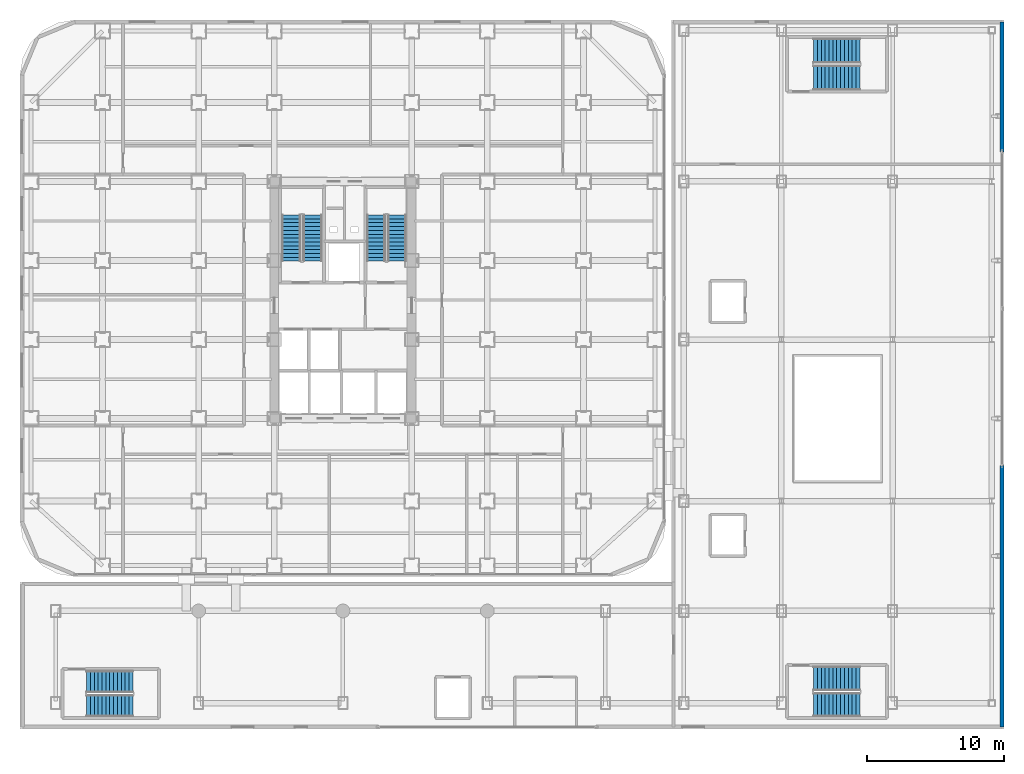
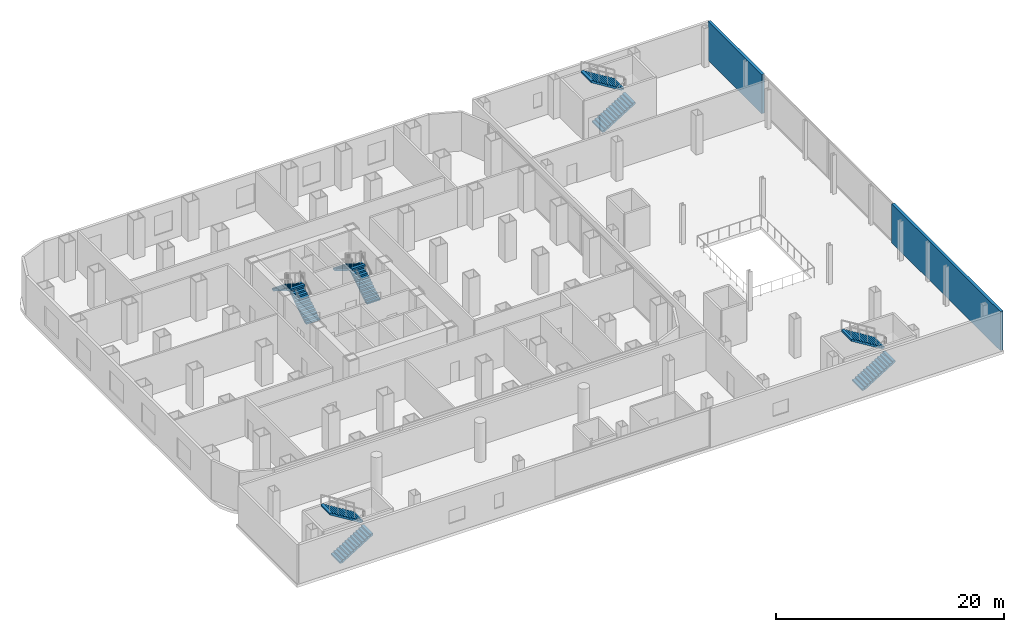
# One storey, part 22 of 26: 10 stair flights, 2 walls, 5 elements without a shape of their own.
"""IFC4 building model written with IfcOpenShell, lengths in metres."""

import ifcopenshell
import ifcopenshell.guid

model = None  # the IFC model being written
_history = None  # IfcOwnerHistory: only IFC2X3 demands one
_inside = {}  # id of a spatial element -> (the spatial element, [elements in it])
_under = {}  # id of a project, library or spatial element -> (it, [spatial elements below it])
_declared = {}  # id of a project -> (the project, [libraries it declares])
_typed = {}  # id of a type object -> (the type object, [elements of that type])
_made_of = {}  # id of a material, layer set ... -> (it, [elements and type objects made of it])


def new_model(schema):
    """Start an empty IFC model of exactly this schema.

    Asked for "IFC4X3", IfcOpenShell would pick the latest addendum, in which some entities
    have other attributes; the version numbers below select the first issue.
    IFC2X3 requires an IfcOwnerHistory on every rooted entity: one is made here for all.
    """
    global model, _history
    if schema == "IFC4X3":
        model = ifcopenshell.file(schema_version=(4, 3, 0, 0))
    else:
        model = ifcopenshell.file(schema=schema)
    _inside.clear()
    _under.clear()
    _declared.clear()
    _typed.clear()
    _made_of.clear()
    _history = None
    if model.schema == "IFC2X3":
        org = make("IfcOrganization", Name="unknown")
        user = make(
            "IfcPersonAndOrganization",
            ThePerson=make("IfcPerson", FamilyName="unknown"),
            TheOrganization=org,
        )
        app = make(
            "IfcApplication",
            ApplicationDeveloper=org,
            Version="unknown",
            ApplicationFullName="unknown",
            ApplicationIdentifier="unknown",
        )
        _history = make(
            "IfcOwnerHistory",
            OwningUser=user,
            OwningApplication=app,
            ChangeAction="ADDED",
            CreationDate=0,
        )
    return model


def make(cls, **values):
    """One entity of the class cls with the attributes given. An attribute that is None is left unset."""
    return model.create_entity(
        cls, **{name: value for name, value in values.items() if value is not None}
    )


def rooted(cls, **values):
    """An entity with a GlobalId (a new one), such as an element, a storey or a relation."""
    return make(cls, GlobalId=ifcopenshell.guid.new(), OwnerHistory=_history, **values)


def si_unit(unit_type, name, prefix=None):
    """IfcSIUnit, for example si_unit("LENGTHUNIT", "METRE", prefix="MILLI")."""
    return make("IfcSIUnit", UnitType=unit_type, Prefix=prefix, Name=name)


def assignment(units):
    """IfcUnitAssignment: the units of a project."""
    return None if units is None else make("IfcUnitAssignment", Units=units)


def point(xyz):
    """IfcCartesianPoint."""
    return None if xyz is None else make("IfcCartesianPoint", Coordinates=xyz)


def direction(xyz):
    """IfcDirection."""
    return None if xyz is None else make("IfcDirection", DirectionRatios=xyz)


def frame(location, z_axis=None, x_axis=None):
    """IfcAxis2Placement3D, a coordinate frame: its origin and axes. An axis left out is left unset."""
    return make(
        "IfcAxis2Placement3D",
        Location=point(location),
        Axis=direction(z_axis),
        RefDirection=direction(x_axis),
    )


def frame_2d(location, x_axis=None):
    """IfcAxis2Placement2D, a coordinate frame in the plane: its origin and x axis."""
    return make(
        "IfcAxis2Placement2D", Location=point(location), RefDirection=direction(x_axis)
    )


def origin():
    """The frame at (0, 0, 0) with its axes left unset."""
    return frame((0.0, 0.0, 0.0))


def place(relative_to, where):
    """IfcLocalPlacement: puts the frame where relative to a parent placement (None: the world)."""
    return make(
        "IfcLocalPlacement", PlacementRelTo=relative_to, RelativePlacement=where
    )


def context(
    kind, dimensions, precision=None, world=None, true_north=None, identifier=None
):
    """IfcGeometricRepresentationContext, for example the 3D "Model" context."""
    return make(
        "IfcGeometricRepresentationContext",
        ContextIdentifier=identifier,
        ContextType=kind,
        CoordinateSpaceDimension=dimensions,
        Precision=precision,
        WorldCoordinateSystem=world,
        TrueNorth=true_north,
    )


def subcontext(parent, identifier, kind, view, scale=None):
    """IfcGeometricRepresentationSubContext, for example "Body" below "Model"."""
    return make(
        "IfcGeometricRepresentationSubContext",
        ContextIdentifier=identifier,
        ContextType=kind,
        ParentContext=parent,
        TargetScale=scale,
        TargetView=view,
    )


def project(units=None, contexts=None):
    """IfcProject with its units and contexts."""
    return rooted(
        "IfcProject",
        Name="project",
        RepresentationContexts=contexts,
        UnitsInContext=assignment(units),
    )


def spatial(cls, under=None, at=None, **own):
    """A site, building, storey or space (cls), placed at a placement, below another one or the project."""
    s = rooted(cls, ObjectPlacement=at, **own)
    if under is not None:
        _under.setdefault(under.id(), (under, []))[1].append(s)
    return s


def polyline(points):
    """IfcPolyline through the points."""
    return make("IfcPolyline", Points=[point(p) for p in points])


def profile(cls, at=None, kind="AREA", **sizes):
    """A parametric profile (cls). Its sizes go by their IFC names, for example OverallWidth=200.0."""
    return make(cls, ProfileType=kind, Position=at, **sizes)


def rectangle(**sizes):
    """IfcRectangleProfileDef."""
    return profile("IfcRectangleProfileDef", **sizes)


def outline(outer, holes=None, kind="AREA"):
    """IfcArbitraryClosedProfileDef: a profile drawn as a closed curve; with holes, ...WithVoids."""
    if holes is None:
        return make("IfcArbitraryClosedProfileDef", ProfileType=kind, OuterCurve=outer)
    return make(
        "IfcArbitraryProfileDefWithVoids",
        ProfileType=kind,
        OuterCurve=outer,
        InnerCurves=holes,
    )


def extrude(swept, where, along, depth):
    """IfcExtrudedAreaSolid: the profile swept, set in the frame where, extruded along a direction by depth."""
    return make(
        "IfcExtrudedAreaSolid",
        SweptArea=swept,
        Position=where,
        ExtrudedDirection=direction(along),
        Depth=depth,
    )


def shape(context_of_items, identifier, shape_type, items):
    """IfcShapeRepresentation: the items that make up one representation, for example the "Body"."""
    return make(
        "IfcShapeRepresentation",
        ContextOfItems=context_of_items,
        RepresentationIdentifier=identifier,
        RepresentationType=shape_type,
        Items=items,
    )


def material(Name=None, Category=None):
    """IfcMaterial."""
    return make("IfcMaterial", Name=Name, Category=Category)


def layer(
    of_material, thickness, ventilated=None, Name=None, Category=None, Priority=None
):
    """IfcMaterialLayer: one layer of a wall or slab, of a material (None: an air gap)."""
    return make(
        "IfcMaterialLayer",
        Material=of_material,
        LayerThickness=thickness,
        IsVentilated=ventilated,
        Name=Name,
        Category=Category,
        Priority=Priority,
    )


def layer_set(layers, Name=None):
    """IfcMaterialLayerSet."""
    return make("IfcMaterialLayerSet", MaterialLayers=layers, LayerSetName=Name)


def made_of(thing, what):
    """Note that an element or type object is made of a material, layer set ...; save() writes the relation."""
    if what is not None:
        _made_of.setdefault(what.id(), (what, []))[1].append(thing)
    return thing


def type_object(cls, material=None, **own):
    """A type object (cls), such as IfcWallType, which elements share."""
    return made_of(rooted(cls, **own), material)


def element(
    cls,
    number,
    at=None,
    inside=None,
    cuts=None,
    type_object=None,
    material=None,
    context=None,
    identifier="Body",
    shape_type=None,
    held_by="IfcProductDefinitionShape",
    body=None,
    shapes=None,
    **own,
):
    """One element of the class cls, such as IfcWall. Its Tag is "e" and its number.

    at: its placement. inside: the storey or other place that contains it. cuts: it is an
    opening in that element (IfcRelVoidsElement). A single representation is given by context,
    identifier, shape_type and body (its items); several are given by shapes. held_by: the class
    of the entity that holds the representations. save() writes the other relations.
    """
    e = rooted(cls, Tag="e%d" % number, ObjectPlacement=at, **own)
    if body is not None:
        shapes = [shape(context, identifier, shape_type, body)]
    if shapes is not None:
        e.Representation = make(held_by, Representations=shapes)
    if inside is not None:
        _inside.setdefault(inside.id(), (inside, []))[1].append(e)
    if cuts is not None:
        rooted(
            "IfcRelVoidsElement", RelatingBuildingElement=cuts, RelatedOpeningElement=e
        )
    if type_object is not None:
        _typed.setdefault(type_object.id(), (type_object, []))[1].append(e)
    return made_of(e, material)


def aggregate(whole, parts):
    """IfcRelAggregates: a whole, such as a stair, and the parts it consists of."""
    return rooted("IfcRelAggregates", RelatingObject=whole, RelatedObjects=parts)


def save(model, path):
    """Write the relations noted so far, then the file.

    IfcRelAggregates (storeys below a building ...), IfcRelContainedInSpatialStructure (elements
    in a storey), IfcRelDefinesByType, IfcRelAssociatesMaterial and IfcRelDeclares: one each for
    every whole, place, type object, material and project.
    """
    for whole, parts in _under.values():
        aggregate(whole, parts)
    for where, things in _inside.values():
        rooted(
            "IfcRelContainedInSpatialStructure",
            RelatedElements=things,
            RelatingStructure=where,
        )
    for kind, things in _typed.values():
        rooted("IfcRelDefinesByType", RelatedObjects=things, RelatingType=kind)
    for what, things in _made_of.values():
        rooted("IfcRelAssociatesMaterial", RelatedObjects=things, RelatingMaterial=what)
    for by, libraries in _declared.values():
        rooted("IfcRelDeclares", RelatingContext=by, RelatedDefinitions=libraries)
    model.write(path)


model = new_model("IFC4")

# Units and contexts
model_context = context("Model", 3, precision=1e-05, world=origin(), true_north=direction((0.0, 1.0)))
body_context = subcontext(model_context, "Body", "Model", "MODEL_VIEW")
ifc_project = project(units=[si_unit("LENGTHUNIT", "METRE"), si_unit("AREAUNIT", "SQUARE_METRE"), si_unit("VOLUMEUNIT", "CUBIC_METRE"), si_unit("PLANEANGLEUNIT", "RADIAN"), si_unit("MASSUNIT", "GRAM", prefix="KILO")], contexts=[model_context])

# Site, building, storey
site_placement = place(None, origin())
site = spatial("IfcSite", under=ifc_project, at=site_placement, CompositionType="ELEMENT")
building_placement = place(site_placement, origin())
building = spatial("IfcBuilding", under=site, at=building_placement, Name="Kolveth Station Tower", CompositionType="ELEMENT")
storey_placement = place(building_placement, frame((0.0, 0.0, 4.5)))
storey = spatial("IfcBuildingStorey", under=building, at=storey_placement, Name="L01", CompositionType="ELEMENT", Elevation=4.5)

# Walls
ifc_material_1 = material(Name="Precast concrete C40/50", Category="concrete")
ifc_layer_1 = layer(ifc_material_1, 0.280029296875)
ifc_layer_set_1 = layer_set([ifc_layer_1], Name="Precast concrete C40/50")
wall_type = type_object("IfcWallType", Name="Wall_EW-280", PredefinedType="SOLIDWALL", material=ifc_layer_set_1)
wall_1_placement = place(storey_placement, frame((71.449951171875, -10.949951171875, 0.0), z_axis=(0.0, 0.0, 1.0), x_axis=(0.0, 1.0, 0.0)))
element("IfcWall", 1, at=wall_1_placement, inside=storey, type_object=wall_type, Name="L01 Station Exterior Wall E1", PredefinedType="SOLIDWALL", context=body_context, shape_type="SweptSolid", body=[
    extrude(rectangle(XDim=19.050048828125, YDim=0.280029296875, at=frame_2d((9.52490234375, 0.0))), origin(), (0.0, 0.0, 1.0), 4.179931640625),
])
wall_2_placement = place(storey_placement, frame((71.449951171875, 30.89990234375, 0.0), z_axis=(0.0, 0.0, 1.0), x_axis=(0.0, 1.0, 0.0)))
element("IfcWall", 2, at=wall_2_placement, inside=storey, type_object=wall_type, Name="L01 Station Exterior Wall E2", PredefinedType="SOLIDWALL", context=body_context, shape_type="SweptSolid", body=[
    extrude(rectangle(XDim=9.4501953125, YDim=0.280029296875, at=frame_2d((4.72509765625, 0.0))), origin(), (0.0, 0.0, 1.0), 4.179931640625),
])

# Stair, stair flights
ifc_material_2 = material(Name="Concrete C40/50", Category="concrete")
stair_type_1 = type_object("IfcStairType", Name="Stair_ST1", PredefinedType="HALF_TURN_STAIR", material=ifc_material_2)
stair_1_placement = place(storey_placement, origin())
stair_1 = element("IfcStair", 3, at=stair_1_placement, inside=storey, type_object=stair_type_1, Name="L01 Tower Exit Stair ST1", PredefinedType="HALF_TURN_STAIR")
ifc_layer_2 = layer(ifc_material_2, 0.179931640625)
ifc_layer_set_2 = layer_set([ifc_layer_2], Name="Concrete C40/50")
stair_flight_type_1 = type_object("IfcStairFlightType", Name="Flight_ST1", PredefinedType="STRAIGHT", material=ifc_layer_set_2)
stair_flight_1_placement = place(storey_placement, frame((21.300048828125, 22.949951171875, 0.0), z_axis=(0.0, 0.0, 1.0), x_axis=(0.0, 1.0, 0.0)))
stair_flight_1 = element("IfcStairFlight", 4, at=stair_flight_1_placement, type_object=stair_flight_type_1, Name="ST1 flight 1", NumberOfRisers=13, NumberOfTreads=12, PredefinedType="STRAIGHT", RiserHeight=0.173076923, TreadLength=0.28, context=body_context, shape_type="SweptSolid", body=[
    extrude(outline(polyline([(0.0, 0.0), (0.0, 0.173095703125), (0.280029296875, 0.173095703125), (0.280029296875, 0.34619140625), (0.56005859375, 0.34619140625), (0.56005859375, 0.519287109375), (0.840087890625, 0.519287109375), (0.840087890625, 0.6923828125), (1.1201171875, 0.6923828125), (1.1201171875, 0.865478515625), (1.39990234375, 0.865478515625), (1.39990234375, 1.03857421875), (1.679931640625, 1.03857421875), (1.679931640625, 1.21142578125), (1.9599609375, 1.21142578125), (1.9599609375, 1.384521484375), (2.239990234375, 1.384521484375), (2.239990234375, 1.5576171875), (2.52001953125, 1.5576171875), (2.52001953125, 1.730712890625), (2.800048828125, 1.730712890625), (2.800048828125, 1.90380859375), (3.080078125, 1.90380859375), (3.080078125, 2.076904296875), (3.360107421875, 2.076904296875), (3.360107421875, 2.25), (3.360107421875, 1.900634765625), (0.28515625, 0.0), (0.0, 0.0)])), frame((0.0, 0.699951171875, 0.0), z_axis=(0.0, -1.0, 0.0), x_axis=(1.0, 0.0, 0.0)), (0.0, 0.0, 1.0), 1.39990234375),
])
stair_flight_2_placement = place(storey_placement, frame((19.739990234375, 26.31005859375, 2.25), z_axis=(0.0, 0.0, 1.0), x_axis=(0.0, -1.0, 0.0)))
stair_flight_2 = element("IfcStairFlight", 5, at=stair_flight_2_placement, type_object=stair_flight_type_1, Name="ST1 flight 2", NumberOfRisers=13, NumberOfTreads=12, PredefinedType="STRAIGHT", RiserHeight=0.173076923, TreadLength=0.28, context=body_context, shape_type="SweptSolid", body=[
    extrude(outline(polyline([(0.0, 0.0), (0.0, 0.173095703125), (0.280029296875, 0.173095703125), (0.280029296875, 0.34619140625), (0.56005859375, 0.34619140625), (0.56005859375, 0.519287109375), (0.840087890625, 0.519287109375), (0.840087890625, 0.6923828125), (1.1201171875, 0.6923828125), (1.1201171875, 0.865478515625), (1.39990234375, 0.865478515625), (1.39990234375, 1.03857421875), (1.679931640625, 1.03857421875), (1.679931640625, 1.21142578125), (1.9599609375, 1.21142578125), (1.9599609375, 1.384521484375), (2.239990234375, 1.384521484375), (2.239990234375, 1.5576171875), (2.52001953125, 1.5576171875), (2.52001953125, 1.730712890625), (2.800048828125, 1.730712890625), (2.800048828125, 1.90380859375), (3.080078125, 1.90380859375), (3.080078125, 2.076904296875), (3.360107421875, 2.076904296875), (3.360107421875, 2.25), (3.360107421875, 1.900634765625), (0.28515625, 0.0), (0.0, 0.0)])), frame((0.0, 0.699951171875, 0.0), z_axis=(0.0, -1.0, 0.0), x_axis=(1.0, 0.0, 0.0)), (0.0, 0.0, 1.0), 1.39990234375),
])
aggregate(stair_1, [stair_flight_1, stair_flight_2])

stair_type_2 = type_object("IfcStairType", Name="Stair_ST2", PredefinedType="HALF_TURN_STAIR", material=ifc_material_2)
stair_2_placement = place(storey_placement, origin())
stair_2 = element("IfcStair", 6, at=stair_2_placement, inside=storey, type_object=stair_type_2, Name="L01 Tower Exit Stair ST2", PredefinedType="HALF_TURN_STAIR")
ifc_layer_3 = layer(ifc_material_2, 0.179931640625)
ifc_layer_set_3 = layer_set([ifc_layer_3], Name="Concrete C40/50")
stair_flight_type_2 = type_object("IfcStairFlightType", Name="Flight_ST2", PredefinedType="STRAIGHT", material=ifc_layer_set_3)
stair_flight_3_placement = place(storey_placement, frame((27.425048828125, 22.949951171875, 0.0), z_axis=(0.0, 0.0, 1.0), x_axis=(0.0, 1.0, 0.0)))
stair_flight_3 = element("IfcStairFlight", 7, at=stair_flight_3_placement, type_object=stair_flight_type_2, Name="ST2 flight 1", NumberOfRisers=13, NumberOfTreads=12, PredefinedType="STRAIGHT", RiserHeight=0.173076923, TreadLength=0.28, context=body_context, shape_type="SweptSolid", body=[
    extrude(outline(polyline([(0.0, 0.0), (0.0, 0.173095703125), (0.280029296875, 0.173095703125), (0.280029296875, 0.34619140625), (0.56005859375, 0.34619140625), (0.56005859375, 0.519287109375), (0.840087890625, 0.519287109375), (0.840087890625, 0.6923828125), (1.1201171875, 0.6923828125), (1.1201171875, 0.865478515625), (1.39990234375, 0.865478515625), (1.39990234375, 1.03857421875), (1.679931640625, 1.03857421875), (1.679931640625, 1.21142578125), (1.9599609375, 1.21142578125), (1.9599609375, 1.384521484375), (2.239990234375, 1.384521484375), (2.239990234375, 1.5576171875), (2.52001953125, 1.5576171875), (2.52001953125, 1.730712890625), (2.800048828125, 1.730712890625), (2.800048828125, 1.90380859375), (3.080078125, 1.90380859375), (3.080078125, 2.076904296875), (3.360107421875, 2.076904296875), (3.360107421875, 2.25), (3.360107421875, 1.900634765625), (0.28515625, 0.0), (0.0, 0.0)])), frame((0.0, 0.675048828125, 0.0), z_axis=(0.0, -1.0, 0.0), x_axis=(1.0, 0.0, 0.0)), (0.0, 0.0, 1.0), 1.35009765625),
])
stair_flight_4_placement = place(storey_placement, frame((25.9150390625, 26.31005859375, 2.25), z_axis=(0.0, 0.0, 1.0), x_axis=(0.0, -1.0, 0.0)))
stair_flight_4 = element("IfcStairFlight", 8, at=stair_flight_4_placement, type_object=stair_flight_type_2, Name="ST2 flight 2", NumberOfRisers=13, NumberOfTreads=12, PredefinedType="STRAIGHT", RiserHeight=0.173076923, TreadLength=0.28, context=body_context, shape_type="SweptSolid", body=[
    extrude(outline(polyline([(0.0, 0.0), (0.0, 0.173095703125), (0.280029296875, 0.173095703125), (0.280029296875, 0.34619140625), (0.56005859375, 0.34619140625), (0.56005859375, 0.519287109375), (0.840087890625, 0.519287109375), (0.840087890625, 0.6923828125), (1.1201171875, 0.6923828125), (1.1201171875, 0.865478515625), (1.39990234375, 0.865478515625), (1.39990234375, 1.03857421875), (1.679931640625, 1.03857421875), (1.679931640625, 1.21142578125), (1.9599609375, 1.21142578125), (1.9599609375, 1.384521484375), (2.239990234375, 1.384521484375), (2.239990234375, 1.5576171875), (2.52001953125, 1.5576171875), (2.52001953125, 1.730712890625), (2.800048828125, 1.730712890625), (2.800048828125, 1.90380859375), (3.080078125, 1.90380859375), (3.080078125, 2.076904296875), (3.360107421875, 2.076904296875), (3.360107421875, 2.25), (3.360107421875, 1.900634765625), (0.28515625, 0.0), (0.0, 0.0)])), frame((0.0, 0.675048828125, 0.0), z_axis=(0.0, -1.0, 0.0), x_axis=(1.0, 0.0, 0.0)), (0.0, 0.0, 1.0), 1.35009765625),
])
aggregate(stair_2, [stair_flight_3, stair_flight_4])

stair_type_3 = type_object("IfcStairType", Name="Stair_ST3", PredefinedType="HALF_TURN_STAIR", material=ifc_material_2)
stair_3_placement = place(storey_placement, origin())
stair_3 = element("IfcStair", 9, at=stair_3_placement, inside=storey, type_object=stair_type_3, Name="L01 Station North Exit Stair ST3", PredefinedType="HALF_TURN_STAIR")
ifc_layer_4 = layer(ifc_material_2, 0.179931640625)
ifc_layer_set_4 = layer_set([ifc_layer_4], Name="Concrete C40/50")
stair_flight_type_3 = type_object("IfcStairFlightType", Name="Flight_ST3", PredefinedType="STRAIGHT", material=ifc_layer_set_4)
stair_flight_5_placement = place(storey_placement, frame((57.75, 36.300048828125, 0.0), z_axis=(0.0, 0.0, 1.0), x_axis=(1.0, 0.0, 0.0)))
stair_flight_5 = element("IfcStairFlight", 10, at=stair_flight_5_placement, type_object=stair_flight_type_3, Name="ST3 flight 1", NumberOfRisers=13, NumberOfTreads=12, PredefinedType="STRAIGHT", RiserHeight=0.173076923, TreadLength=0.28, context=body_context, shape_type="SweptSolid", body=[
    extrude(outline(polyline([(0.0, 0.0), (0.0, 0.173095703125), (0.280029296875, 0.173095703125), (0.280029296875, 0.34619140625), (0.56005859375, 0.34619140625), (0.56005859375, 0.519287109375), (0.840087890625, 0.519287109375), (0.840087890625, 0.6923828125), (1.1201171875, 0.6923828125), (1.1201171875, 0.865478515625), (1.39990234375, 0.865478515625), (1.39990234375, 1.03857421875), (1.679931640625, 1.03857421875), (1.679931640625, 1.21142578125), (1.9599609375, 1.21142578125), (1.9599609375, 1.384521484375), (2.239990234375, 1.384521484375), (2.239990234375, 1.5576171875), (2.52001953125, 1.5576171875), (2.52001953125, 1.730712890625), (2.800048828125, 1.730712890625), (2.800048828125, 1.90380859375), (3.080078125, 1.90380859375), (3.080078125, 2.076904296875), (3.360107421875, 2.076904296875), (3.360107421875, 2.25), (3.360107421875, 1.900634765625), (0.28515625, 0.0), (0.0, 0.0)])), frame((0.0, 0.89990234375, 0.0), z_axis=(0.0, -1.0, 0.0), x_axis=(1.0, 0.0, 0.0)), (0.0, 0.0, 1.0), 1.800048828125),
])
stair_flight_6_placement = place(storey_placement, frame((61.110107421875, 38.260009765625, 2.25), z_axis=(0.0, 0.0, 1.0), x_axis=(-1.0, 0.0, 0.0)))
stair_flight_6 = element("IfcStairFlight", 11, at=stair_flight_6_placement, type_object=stair_flight_type_3, Name="ST3 flight 2", NumberOfRisers=13, NumberOfTreads=12, PredefinedType="STRAIGHT", RiserHeight=0.173076923, TreadLength=0.28, context=body_context, shape_type="SweptSolid", body=[
    extrude(outline(polyline([(0.0, 0.0), (0.0, 0.173095703125), (0.280029296875, 0.173095703125), (0.280029296875, 0.34619140625), (0.56005859375, 0.34619140625), (0.56005859375, 0.519287109375), (0.840087890625, 0.519287109375), (0.840087890625, 0.6923828125), (1.1201171875, 0.6923828125), (1.1201171875, 0.865478515625), (1.39990234375, 0.865478515625), (1.39990234375, 1.03857421875), (1.679931640625, 1.03857421875), (1.679931640625, 1.21142578125), (1.9599609375, 1.21142578125), (1.9599609375, 1.384521484375), (2.239990234375, 1.384521484375), (2.239990234375, 1.5576171875), (2.52001953125, 1.5576171875), (2.52001953125, 1.730712890625), (2.800048828125, 1.730712890625), (2.800048828125, 1.90380859375), (3.080078125, 1.90380859375), (3.080078125, 2.076904296875), (3.360107421875, 2.076904296875), (3.360107421875, 2.25), (3.360107421875, 1.900634765625), (0.28515625, 0.0), (0.0, 0.0)])), frame((0.0, 0.89990234375, 0.0), z_axis=(0.0, -1.0, 0.0), x_axis=(1.0, 0.0, 0.0)), (0.0, 0.0, 1.0), 1.800048828125),
])
aggregate(stair_3, [stair_flight_5, stair_flight_6])

stair_type_4 = type_object("IfcStairType", Name="Stair_ST4", PredefinedType="HALF_TURN_STAIR", material=ifc_material_2)
stair_4_placement = place(storey_placement, origin())
stair_4 = element("IfcStair", 12, at=stair_4_placement, inside=storey, type_object=stair_type_4, Name="L01 Station South-East Exit Stair ST4", PredefinedType="HALF_TURN_STAIR")
ifc_layer_5 = layer(ifc_material_2, 0.179931640625)
ifc_layer_set_5 = layer_set([ifc_layer_5], Name="Concrete C40/50")
stair_flight_type_4 = type_object("IfcStairFlightType", Name="Flight_ST4", PredefinedType="STRAIGHT", material=ifc_layer_set_5)
stair_flight_7_placement = place(storey_placement, frame((57.75, -9.324951171875, 0.0), z_axis=(0.0, 0.0, 1.0), x_axis=(1.0, 0.0, 0.0)))
stair_flight_7 = element("IfcStairFlight", 13, at=stair_flight_7_placement, type_object=stair_flight_type_4, Name="ST4 flight 1", NumberOfRisers=13, NumberOfTreads=12, PredefinedType="STRAIGHT", RiserHeight=0.173076923, TreadLength=0.28, context=body_context, shape_type="SweptSolid", body=[
    extrude(outline(polyline([(0.0, 0.0), (0.0, 0.173095703125), (0.280029296875, 0.173095703125), (0.280029296875, 0.34619140625), (0.56005859375, 0.34619140625), (0.56005859375, 0.519287109375), (0.840087890625, 0.519287109375), (0.840087890625, 0.6923828125), (1.1201171875, 0.6923828125), (1.1201171875, 0.865478515625), (1.39990234375, 0.865478515625), (1.39990234375, 1.03857421875), (1.679931640625, 1.03857421875), (1.679931640625, 1.21142578125), (1.9599609375, 1.21142578125), (1.9599609375, 1.384521484375), (2.239990234375, 1.384521484375), (2.239990234375, 1.5576171875), (2.52001953125, 1.5576171875), (2.52001953125, 1.730712890625), (2.800048828125, 1.730712890625), (2.800048828125, 1.90380859375), (3.080078125, 1.90380859375), (3.080078125, 2.076904296875), (3.360107421875, 2.076904296875), (3.360107421875, 2.25), (3.360107421875, 1.900634765625), (0.28515625, 0.0), (0.0, 0.0)])), frame((0.0, 0.875, 0.0), z_axis=(0.0, -1.0, 0.0), x_axis=(1.0, 0.0, 0.0)), (0.0, 0.0, 1.0), 1.75),
])
stair_flight_8_placement = place(storey_placement, frame((61.110107421875, -7.4150390625, 2.25), z_axis=(0.0, 0.0, 1.0), x_axis=(-1.0, 0.0, 0.0)))
stair_flight_8 = element("IfcStairFlight", 14, at=stair_flight_8_placement, type_object=stair_flight_type_4, Name="ST4 flight 2", NumberOfRisers=13, NumberOfTreads=12, PredefinedType="STRAIGHT", RiserHeight=0.173076923, TreadLength=0.28, context=body_context, shape_type="SweptSolid", body=[
    extrude(outline(polyline([(0.0, 0.0), (0.0, 0.173095703125), (0.280029296875, 0.173095703125), (0.280029296875, 0.34619140625), (0.56005859375, 0.34619140625), (0.56005859375, 0.519287109375), (0.840087890625, 0.519287109375), (0.840087890625, 0.6923828125), (1.1201171875, 0.6923828125), (1.1201171875, 0.865478515625), (1.39990234375, 0.865478515625), (1.39990234375, 1.03857421875), (1.679931640625, 1.03857421875), (1.679931640625, 1.21142578125), (1.9599609375, 1.21142578125), (1.9599609375, 1.384521484375), (2.239990234375, 1.384521484375), (2.239990234375, 1.5576171875), (2.52001953125, 1.5576171875), (2.52001953125, 1.730712890625), (2.800048828125, 1.730712890625), (2.800048828125, 1.90380859375), (3.080078125, 1.90380859375), (3.080078125, 2.076904296875), (3.360107421875, 2.076904296875), (3.360107421875, 2.25), (3.360107421875, 1.900634765625), (0.28515625, 0.0), (0.0, 0.0)])), frame((0.0, 0.875, 0.0), z_axis=(0.0, -1.0, 0.0), x_axis=(1.0, 0.0, 0.0)), (0.0, 0.0, 1.0), 1.75),
])
aggregate(stair_4, [stair_flight_7, stair_flight_8])

stair_type_5 = type_object("IfcStairType", Name="Stair_ST5", PredefinedType="HALF_TURN_STAIR", material=ifc_material_2)
stair_5_placement = place(storey_placement, origin())
stair_5 = element("IfcStair", 15, at=stair_5_placement, inside=storey, type_object=stair_type_5, Name="L01 Station West Concourse Stair ST5", PredefinedType="HALF_TURN_STAIR")
ifc_layer_6 = layer(ifc_material_2, 0.179931640625)
ifc_layer_set_6 = layer_set([ifc_layer_6], Name="Concrete C40/50")
stair_flight_type_5 = type_object("IfcStairFlightType", Name="Flight_ST5", PredefinedType="STRAIGHT", material=ifc_layer_set_6)
stair_flight_9_placement = place(storey_placement, frame((4.85009765625, -9.39990234375, 0.0), z_axis=(0.0, 0.0, 1.0), x_axis=(1.0, 0.0, 0.0)))
stair_flight_9 = element("IfcStairFlight", 16, at=stair_flight_9_placement, type_object=stair_flight_type_5, Name="ST5 flight 1", NumberOfRisers=13, NumberOfTreads=12, PredefinedType="STRAIGHT", RiserHeight=0.173076923, TreadLength=0.28, context=body_context, shape_type="SweptSolid", body=[
    extrude(outline(polyline([(0.0, 0.0), (0.0, 0.173095703125), (0.280029296875, 0.173095703125), (0.280029296875, 0.34619140625), (0.56005859375, 0.34619140625), (0.56005859375, 0.519287109375), (0.840087890625, 0.519287109375), (0.840087890625, 0.6923828125), (1.1201171875, 0.6923828125), (1.1201171875, 0.865478515625), (1.39990234375, 0.865478515625), (1.39990234375, 1.03857421875), (1.679931640625, 1.03857421875), (1.679931640625, 1.21142578125), (1.9599609375, 1.21142578125), (1.9599609375, 1.384521484375), (2.239990234375, 1.384521484375), (2.239990234375, 1.5576171875), (2.52001953125, 1.5576171875), (2.52001953125, 1.730712890625), (2.800048828125, 1.730712890625), (2.800048828125, 1.90380859375), (3.080078125, 1.90380859375), (3.080078125, 2.076904296875), (3.360107421875, 2.076904296875), (3.360107421875, 2.25), (3.360107421875, 1.900634765625), (0.28515625, 0.0), (0.0, 0.0)])), frame((0.0, 0.800048828125, 0.0), z_axis=(0.0, -1.0, 0.0), x_axis=(1.0, 0.0, 0.0)), (0.0, 0.0, 1.0), 1.60009765625),
])
stair_flight_10_placement = place(storey_placement, frame((8.2099609375, -7.639892578125, 2.25), z_axis=(0.0, 0.0, 1.0), x_axis=(-1.0, 0.0, 0.0)))
stair_flight_10 = element("IfcStairFlight", 17, at=stair_flight_10_placement, type_object=stair_flight_type_5, Name="ST5 flight 2", NumberOfRisers=13, NumberOfTreads=12, PredefinedType="STRAIGHT", RiserHeight=0.173076923, TreadLength=0.28, context=body_context, shape_type="SweptSolid", body=[
    extrude(outline(polyline([(0.0, 0.0), (0.0, 0.173095703125), (0.280029296875, 0.173095703125), (0.280029296875, 0.34619140625), (0.56005859375, 0.34619140625), (0.56005859375, 0.519287109375), (0.840087890625, 0.519287109375), (0.840087890625, 0.6923828125), (1.1201171875, 0.6923828125), (1.1201171875, 0.865478515625), (1.39990234375, 0.865478515625), (1.39990234375, 1.03857421875), (1.679931640625, 1.03857421875), (1.679931640625, 1.21142578125), (1.9599609375, 1.21142578125), (1.9599609375, 1.384521484375), (2.239990234375, 1.384521484375), (2.239990234375, 1.5576171875), (2.52001953125, 1.5576171875), (2.52001953125, 1.730712890625), (2.800048828125, 1.730712890625), (2.800048828125, 1.90380859375), (3.080078125, 1.90380859375), (3.080078125, 2.076904296875), (3.360107421875, 2.076904296875), (3.360107421875, 2.25), (3.360107421875, 1.900634765625), (0.28515625, 0.0), (0.0, 0.0)])), frame((0.0, 0.800048828125, 0.0), z_axis=(0.0, -1.0, 0.0), x_axis=(1.0, 0.0, 0.0)), (0.0, 0.0, 1.0), 1.60009765625),
])
aggregate(stair_5, [stair_flight_9, stair_flight_10])

save(model, "model.ifc")
